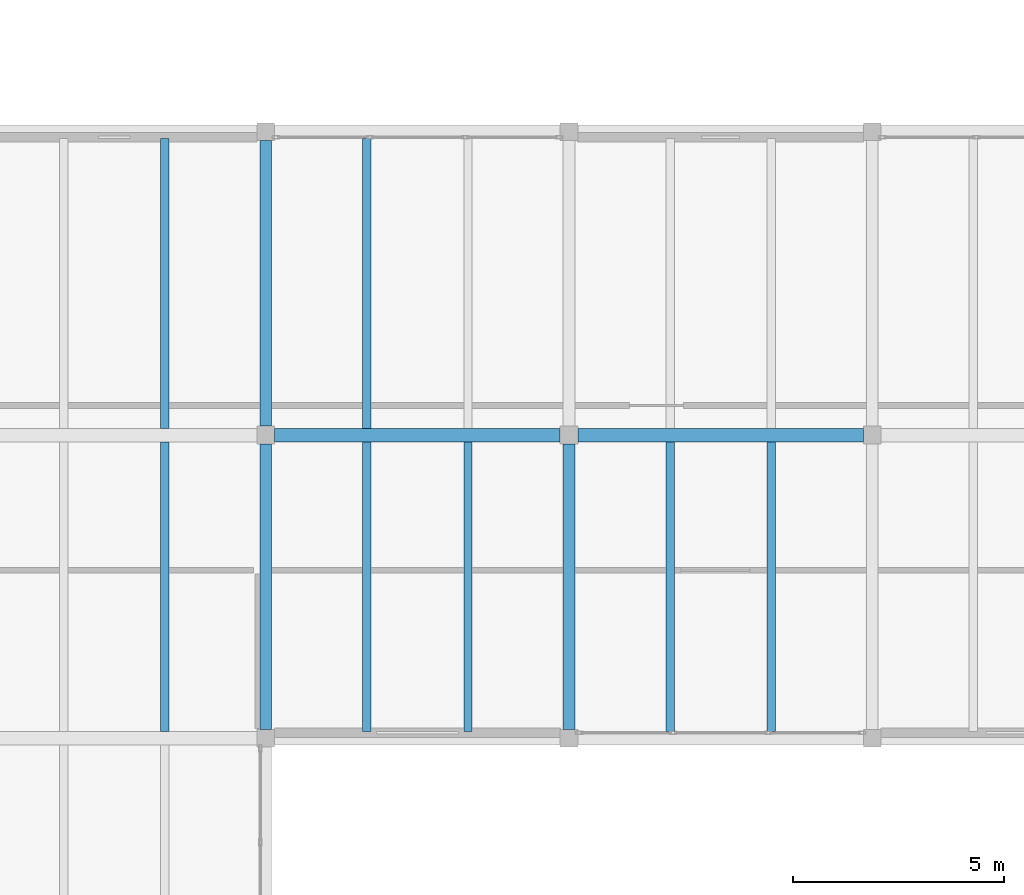
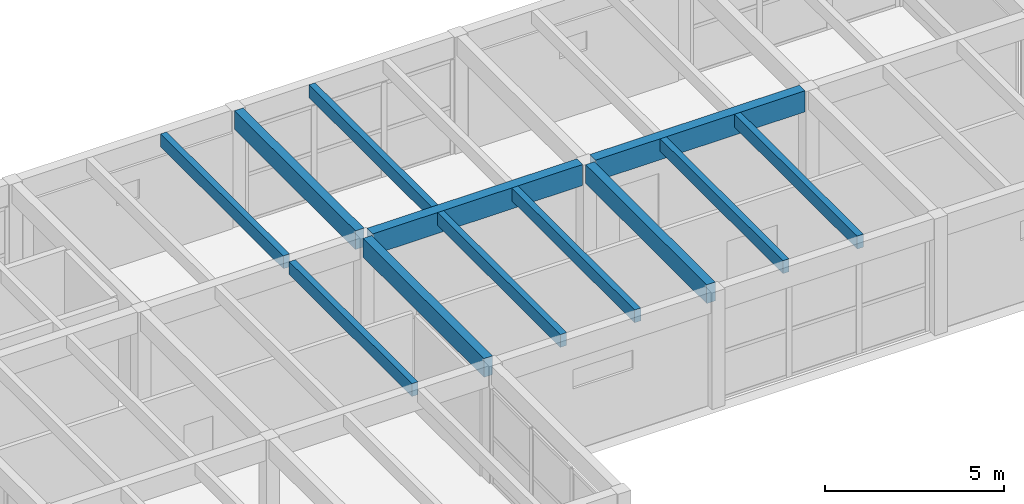
# One storey, part 25 of 68: 12 beams.
"""IFC4 building model written with IfcOpenShell, lengths in metres."""

from ifc_helpers import new_model, si_unit, direction, frame, origin, origin_2d, place, context, subcontext, project, spatial, rectangle, extrude, material, material_profile, profile_set, type_object, element, save


model = new_model("IFC4")

# Units and contexts
model_context = context("Model", 3, precision=1e-05, world=origin(), true_north=direction((0.0, 1.0)))
body_context = subcontext(model_context, "Body", "Model", "MODEL_VIEW")
ifc_project = project(units=[si_unit("LENGTHUNIT", "METRE"), si_unit("AREAUNIT", "SQUARE_METRE"), si_unit("VOLUMEUNIT", "CUBIC_METRE"), si_unit("PLANEANGLEUNIT", "RADIAN"), si_unit("MASSUNIT", "GRAM", prefix="KILO")], contexts=[model_context])

# Site, building, storey
site_placement = place(None, origin())
site = spatial("IfcSite", under=ifc_project, at=site_placement, CompositionType="ELEMENT")
building_placement = place(site_placement, origin())
building = spatial("IfcBuilding", under=site, at=building_placement, Name="Bramvelor Terrace Health Centre", CompositionType="ELEMENT")
storey_placement = place(building_placement, frame((0.0, 0.0, 9.300048828125)))
storey = spatial("IfcBuildingStorey", under=building, at=storey_placement, Name="L03", CompositionType="ELEMENT", Elevation=9.300048828125)

# Beams
ifc_material_1 = material(Name="Glulam GL28h", Category="wood")
ifc_material_profile_1 = material_profile(ifc_material_1, rectangle(XDim=0.280029296875, YDim=0.639892578125, at=origin_2d()), Name="GL 280x640")
ifc_profile_set_1 = profile_set([ifc_material_profile_1], Name="Glulam GL28h")
beam_type_1 = type_object("IfcBeamType", Name="BM-GL-G640", PredefinedType="BEAM", material=ifc_profile_set_1)
beam_1_placement = place(storey_placement, frame((115.199951171875, 50.610107421875, 3.669921875), z_axis=(0.0, 1.0, 0.0), x_axis=(-1.0, 0.0, 0.0)))
element("IfcBeam", 1, at=beam_1_placement, inside=storey, type_object=beam_type_1, Name="L03 Floor Girder", PredefinedType="BEAM", context=body_context, shape_type="SweptSolid", body=[
    extrude(rectangle(XDim=0.280029296875, YDim=0.639892578125, at=origin_2d()), origin(), (0.0, 0.0, 1.0), 6.77978515625),
])
beam_2_placement = place(storey_placement, frame((115.199951171875, 57.81005859375, 3.669921875), z_axis=(0.0, 1.0, 0.0), x_axis=(-1.0, 0.0, 0.0)))
element("IfcBeam", 2, at=beam_2_placement, inside=storey, type_object=beam_type_1, Name="L03 Floor Girder", PredefinedType="BEAM", context=body_context, shape_type="SweptSolid", body=[
    extrude(rectangle(XDim=0.280029296875, YDim=0.639892578125, at=origin_2d()), origin(), (0.0, 0.0, 1.0), 6.780029296875),
])
beam_3_placement = place(storey_placement, frame((122.39990234375, 50.610107421875, 3.669921875), z_axis=(0.0, 1.0, 0.0), x_axis=(-1.0, 0.0, 0.0)))
element("IfcBeam", 3, at=beam_3_placement, inside=storey, type_object=beam_type_1, Name="L03 Floor Girder", PredefinedType="BEAM", context=body_context, shape_type="SweptSolid", body=[
    extrude(rectangle(XDim=0.280029296875, YDim=0.639892578125, at=origin_2d()), origin(), (0.0, 0.0, 1.0), 6.77978515625),
])
ifc_material_2 = material(Name="Glulam GL28h", Category="wood")
ifc_material_profile_2 = material_profile(ifc_material_2, rectangle(XDim=0.320068359375, YDim=0.719970703125, at=origin_2d()), Name="GL 320x720")
ifc_profile_set_2 = profile_set([ifc_material_profile_2], Name="Glulam GL28h")
beam_type_2 = type_object("IfcBeamType", Name="BM-GL-G720", PredefinedType="BEAM", material=ifc_profile_set_2)
beam_4_placement = place(storey_placement, frame((115.409912109375, 57.60009765625, 3.6298828125), z_axis=(1.0, 0.0, 0.0), x_axis=(0.0, 1.0, 0.0)))
element("IfcBeam", 4, at=beam_4_placement, inside=storey, type_object=beam_type_2, Name="L03 Floor Girder", PredefinedType="BEAM", context=body_context, shape_type="SweptSolid", body=[
    extrude(rectangle(XDim=0.320068359375, YDim=0.719970703125, at=origin_2d()), origin(), (0.0, 0.0, 1.0), 6.780029296875),
])
beam_5_placement = place(storey_placement, frame((122.610107421875, 57.60009765625, 3.6298828125), z_axis=(1.0, 0.0, 0.0), x_axis=(0.0, 1.0, 0.0)))
element("IfcBeam", 5, at=beam_5_placement, inside=storey, type_object=beam_type_2, Name="L03 Floor Girder", PredefinedType="BEAM", context=body_context, shape_type="SweptSolid", body=[
    extrude(rectangle(XDim=0.320068359375, YDim=0.719970703125, at=origin_2d()), origin(), (0.0, 0.0, 1.0), 6.77978515625),
])
ifc_material_3 = material(Name="Glulam GL28h", Category="wood")
ifc_material_profile_3 = material_profile(ifc_material_3, rectangle(XDim=0.199951171875, YDim=0.43994140625, at=origin_2d()), Name="GL 200x440")
ifc_profile_set_3 = profile_set([ifc_material_profile_3], Name="Glulam GL28h")
beam_type_3 = type_object("IfcBeamType", Name="BM-GL-J440", PredefinedType="JOIST", material=ifc_profile_set_3)
for number, where, z_axis, x_axis, name in (
    (6, (112.800048828125, 50.56005859375, 3.77001953125), (0.0, 1.0, 0.0), (-1.0, 0.0, 0.0), "L03 Secondary Floor Joist"),
    (7, (112.800048828125, 57.760009765625, 3.77001953125), (0.0, 1.0, 0.0), (-1.0, 0.0, 0.0), "L03 Secondary Floor Joist"),
    (8, (117.60009765625, 50.56005859375, 3.77001953125), (0.0, 1.0, 0.0), (-1.0, 0.0, 0.0), "L03 Secondary Floor Joist"),
    (9, (120.0, 50.56005859375, 3.77001953125), (0.0, 1.0, 0.0), (-1.0, 0.0, 0.0), "L03 Secondary Floor Joist"),
    (10, (117.60009765625, 57.760009765625, 3.77001953125), (0.0, 1.0, 0.0), (-1.0, 0.0, 0.0), "L03 Secondary Floor Joist"),
    (11, (124.800048828125, 50.56005859375, 3.77001953125), (0.0, 1.0, 0.0), (-1.0, 0.0, 0.0), "L03 Secondary Floor Joist"),
    (12, (127.199951171875, 50.56005859375, 3.77001953125), (0.0, 1.0, 0.0), (-1.0, 0.0, 0.0), "L03 Secondary Floor Joist"),
):
    element("IfcBeam", number, at=place(storey_placement, frame(where, z_axis=z_axis, x_axis=x_axis)), inside=storey, type_object=beam_type_3, Name=name, PredefinedType="JOIST", context=body_context, shape_type="SweptSolid", body=[
        extrude(rectangle(XDim=0.199951171875, YDim=0.43994140625, at=origin_2d()), origin(), (0.0, 0.0, 1.0), 6.8798828125),
    ])

save(model, "model.ifc")
